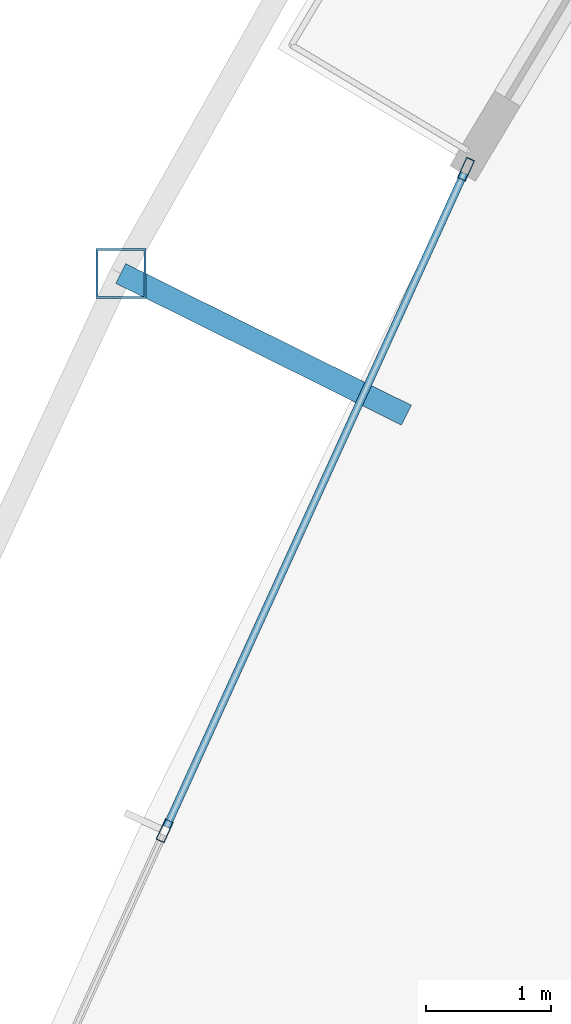
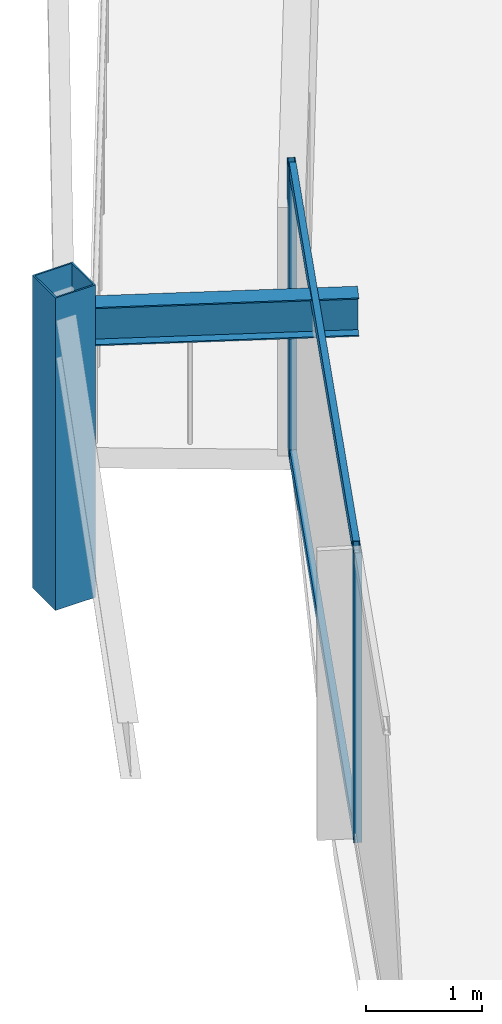
# One storey, part 9 of 31: 5 members, 1 beam, 1 element without a shape of its own.
"""IFC4 building model written with IfcOpenShell, lengths in metres."""

from ifc_helpers import new_model, si_unit, direction, frame, origin, origin_2d, place, context, subcontext, project, spatial, hollow_rectangle, i_section, extrude, material, layer, layer_set, material_profile, profile_set, type_object, element, aggregate, save


model = new_model("IFC4")

# Units and contexts
model_context = context("Model", 3, precision=1e-05, world=origin(), true_north=direction((0.0, 1.0)))
body_context = subcontext(model_context, "Body", "Model", "MODEL_VIEW")
ifc_project = project(units=[si_unit("LENGTHUNIT", "METRE"), si_unit("AREAUNIT", "SQUARE_METRE"), si_unit("VOLUMEUNIT", "CUBIC_METRE"), si_unit("PLANEANGLEUNIT", "RADIAN"), si_unit("MASSUNIT", "GRAM", prefix="KILO")], contexts=[model_context])

# Site, building, storey
site_placement = place(None, origin())
site = spatial("IfcSite", under=ifc_project, at=site_placement, CompositionType="ELEMENT")
building_placement = place(site_placement, origin())
building = spatial("IfcBuilding", under=site, at=building_placement, Name="Orvanel Arch Residences", CompositionType="ELEMENT")
storey_placement = place(building_placement, frame((0.0, 0.0, 110.0)))
storey = spatial("IfcBuildingStorey", under=building, at=storey_placement, Name="L30", CompositionType="ELEMENT", Elevation=110.0)

# Curtain wall, members
ifc_material_1 = material(Name="Bronze-anodised aluminium AA6063-T6", Category="aluminium")
ifc_layer = layer(ifc_material_1, 0.179931640625)
ifc_layer_set = layer_set([ifc_layer], Name="Bronze-anodised aluminium AA6063-T6")
curtain_wall_type = type_object("IfcCurtainWallType", Name="CW3-MID-SYS", PredefinedType="NOTDEFINED", material=ifc_layer_set)
curtain_wall_placement = place(storey_placement, origin())
curtain_wall = element("IfcCurtainWall", 1, at=curtain_wall_placement, inside=storey, type_object=curtain_wall_type, Name="L30 CW3-MID-SYS Unitised Curtain Wall", PredefinedType="NOTDEFINED")
ifc_material_profile_1 = material_profile(ifc_material_1, hollow_rectangle(XDim=0.070068359375, YDim=0.179931640625, WallThickness=0.00439453125, at=origin_2d()), Name="ALU180x70x4.5")
ifc_profile_set_1 = profile_set([ifc_material_profile_1], Name="Bronze-anodised aluminium AA6063-T6")
member_type_1 = type_object("IfcMemberType", Name="MUL-180x70", PredefinedType="MULLION", material=ifc_profile_set_1)
member_1_placement = place(storey_placement, frame((14.030517578125, 24.59521484375, 0.0), z_axis=(0.0, 0.0, 1.0), x_axis=(0.910112556864, -0.414361115258, 0.0)))
member_1 = element("IfcMember", 2, at=member_1_placement, type_object=member_type_1, Name="CW-S3 mullion 1", PredefinedType="MULLION", context=body_context, shape_type="SweptSolid", body=[
    extrude(hollow_rectangle(XDim=0.070068359375, YDim=0.179931640625, WallThickness=0.00439453125, at=origin_2d()), origin(), (0.0, 0.0, 1.0), 3.06005859375),
])
member_2_placement = place(storey_placement, frame((11.62158203125, 19.304443359375, 0.0), z_axis=(0.0, 0.0, 1.0), x_axis=(0.910112556864, -0.414361115258, 0.0)))
member_2 = element("IfcMember", 3, at=member_2_placement, type_object=member_type_1, Name="CW-S3 mullion 2", PredefinedType="MULLION", context=body_context, shape_type="SweptSolid", body=[
    extrude(hollow_rectangle(XDim=0.070068359375, YDim=0.179931640625, WallThickness=0.00439453125, at=origin_2d()), origin(), (0.0, 0.0, 1.0), 3.06005859375),
])

# Beam
ifc_material_2 = material(Name="Structural steel AS/NZS 3679.1 Grade 300 (300 MPa)", Category="steel")
ifc_material_profile_2 = material_profile(ifc_material_2, i_section(OverallWidth=0.177978515625, OverallDepth=0.406005859375, WebThickness=0.0078125, FlangeThickness=0.0126953125, at=origin_2d()), Name="410UB59.7")
ifc_profile_set_2 = profile_set([ifc_material_profile_2], Name="Structural steel AS/NZS 3679.1 Grade 300 (300 MPa)")
beam_type = type_object("IfcBeamType", Name="OB-410UB-EXT", PredefinedType="SPANDREL", material=ifc_profile_set_2)
beam_placement = place(storey_placement, frame((13.553955078125, 22.6279296875, 2.85693359375), z_axis=(-0.895820894643, 0.444415261575, 0.0), x_axis=(-0.444415261575, -0.895820894643, 0.0)))
element("IfcBeam", 4, at=beam_placement, inside=storey, type_object=beam_type, Name="L30 Outer Frame Radial Tie Beam 03", PredefinedType="SPANDREL", context=body_context, shape_type="SweptSolid", body=[
    extrude(i_section(OverallWidth=0.177978515625, OverallDepth=0.406005859375, WebThickness=0.0078125, FlangeThickness=0.0126953125, at=origin_2d()), origin(), (0.0, 0.0, 1.0), 2.549560546875),
])

# Member
ifc_material_3 = material(Name="Structural steel AS/NZS 1163 C450L0 (Grade 450)", Category="steel")
ifc_material_profile_3 = material_profile(ifc_material_3, hollow_rectangle(XDim=0.39990234375, YDim=0.39990234375, WallThickness=0.01611328125, at=origin_2d()), Name="SHS400x400x16")
ifc_profile_set_3 = profile_set([ifc_material_profile_3], Name="Structural steel AS/NZS 1163 C450L0 (Grade 450)")
member_type_2 = type_object("IfcMemberType", Name="ST-400SHS-EXT", PredefinedType="STRUT", material=ifc_profile_set_3)
member_3_placement = place(storey_placement, frame((11.27001953125, 23.760986328125, 0.0), z_axis=(0.0, 0.0, 1.0), x_axis=(1.0, 0.0, 0.0)))
element("IfcMember", 5, at=member_3_placement, inside=storey, type_object=member_type_2, Name="L30 Outer Perimeter Frame Post 03", PredefinedType="STRUT", context=body_context, shape_type="SweptSolid", body=[
    extrude(hollow_rectangle(XDim=0.39990234375, YDim=0.39990234375, WallThickness=0.01611328125, at=origin_2d()), origin(), (0.0, 0.0, 1.0), 3.300048828125),
])

ifc_material_profile_4 = material_profile(ifc_material_1, hollow_rectangle(XDim=0.06005859375, YDim=0.135009765625, WallThickness=0.00390625, at=origin_2d()), Name="ALU135x60x4")
ifc_profile_set_4 = profile_set([ifc_material_profile_4], Name="Bronze-anodised aluminium AA6063-T6")
member_type_3 = type_object("IfcMemberType", Name="TRN-135x60", PredefinedType="USERDEFINED", material=ifc_profile_set_4)
member_4_placement = place(storey_placement, frame((14.01611328125, 24.563232421875, 0.030029296875), z_axis=(-0.414372943031, -0.910107171757, 0.0), x_axis=(0.910107171757, -0.414372943031, 0.0)))
member_4 = element("IfcMember", 6, at=member_4_placement, type_object=member_type_3, Name="CW-S3 transom 1.1", ObjectType="TRANSOM", PredefinedType="USERDEFINED", context=body_context, shape_type="SweptSolid", body=[
    extrude(hollow_rectangle(XDim=0.06005859375, YDim=0.135009765625, WallThickness=0.00390625, at=origin_2d()), origin(), (0.0, 0.0, 1.0), 5.743408203125),
])

member_5_placement = place(storey_placement, frame((14.01611328125, 24.563232421875, 3.030029296875), z_axis=(-0.414372943031, -0.910107171757, 0.0), x_axis=(0.910107171757, -0.414372943031, 0.0)))
member_5 = element("IfcMember", 7, at=member_5_placement, type_object=member_type_3, Name="CW-S3 transom 1.2", ObjectType="TRANSOM", PredefinedType="USERDEFINED", context=body_context, shape_type="SweptSolid", body=[
    extrude(hollow_rectangle(XDim=0.06005859375, YDim=0.135009765625, WallThickness=0.00390625, at=origin_2d()), origin(), (0.0, 0.0, 1.0), 5.743408203125),
])

aggregate(curtain_wall, [member_1, member_2, member_4, member_5])

save(model, "model.ifc")
